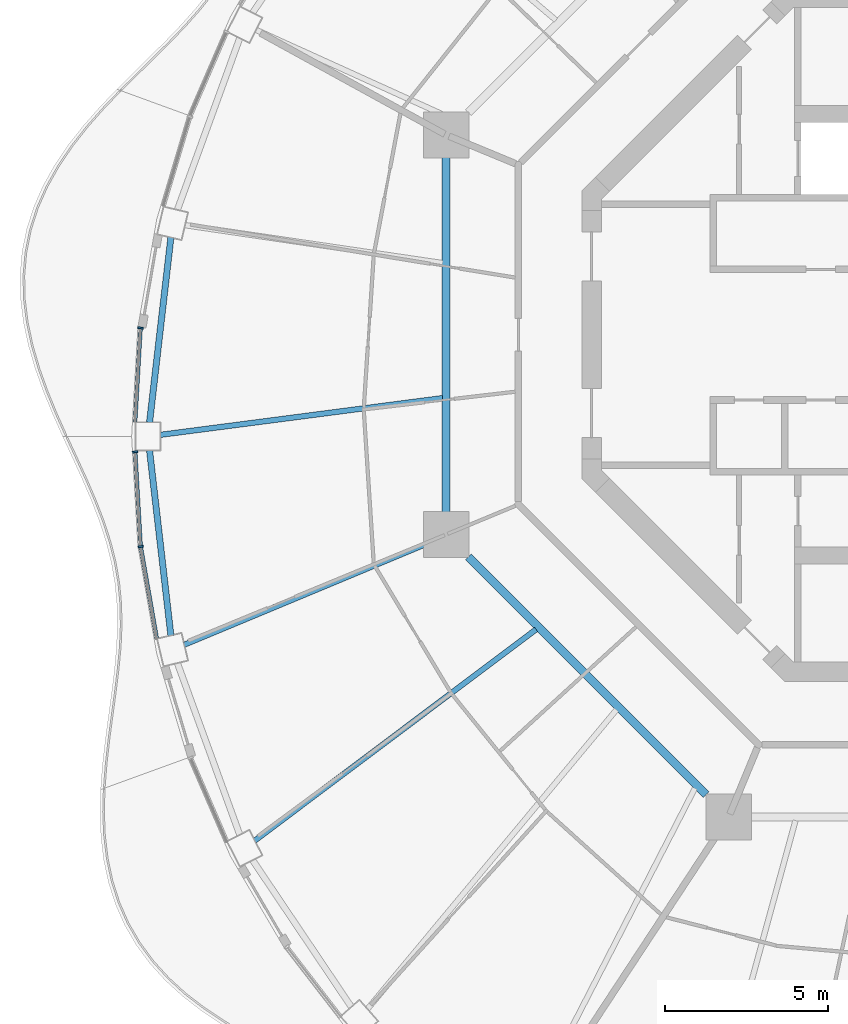
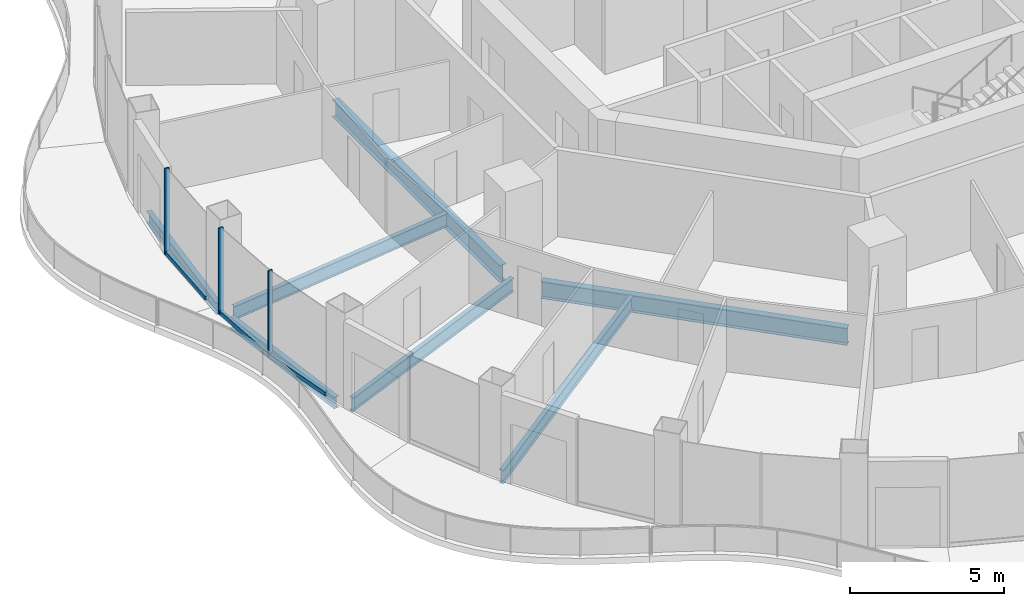
# One storey, part 3 of 17: 7 beams, 6 members, 3 elements without a shape of their own.
"""IFC4 building model written with IfcOpenShell, lengths in metres."""

import ifcopenshell
import ifcopenshell.guid

model = None  # the IFC model being written
_history = None  # IfcOwnerHistory: only IFC2X3 demands one
_inside = {}  # id of a spatial element -> (the spatial element, [elements in it])
_under = {}  # id of a project, library or spatial element -> (it, [spatial elements below it])
_declared = {}  # id of a project -> (the project, [libraries it declares])
_typed = {}  # id of a type object -> (the type object, [elements of that type])
_made_of = {}  # id of a material, layer set ... -> (it, [elements and type objects made of it])


def new_model(schema):
    """Start an empty IFC model of exactly this schema.

    Asked for "IFC4X3", IfcOpenShell would pick the latest addendum, in which some entities
    have other attributes; the version numbers below select the first issue.
    IFC2X3 requires an IfcOwnerHistory on every rooted entity: one is made here for all.
    """
    global model, _history
    if schema == "IFC4X3":
        model = ifcopenshell.file(schema_version=(4, 3, 0, 0))
    else:
        model = ifcopenshell.file(schema=schema)
    _inside.clear()
    _under.clear()
    _declared.clear()
    _typed.clear()
    _made_of.clear()
    _history = None
    if model.schema == "IFC2X3":
        org = make("IfcOrganization", Name="unknown")
        user = make(
            "IfcPersonAndOrganization",
            ThePerson=make("IfcPerson", FamilyName="unknown"),
            TheOrganization=org,
        )
        app = make(
            "IfcApplication",
            ApplicationDeveloper=org,
            Version="unknown",
            ApplicationFullName="unknown",
            ApplicationIdentifier="unknown",
        )
        _history = make(
            "IfcOwnerHistory",
            OwningUser=user,
            OwningApplication=app,
            ChangeAction="ADDED",
            CreationDate=0,
        )
    return model


def make(cls, **values):
    """One entity of the class cls with the attributes given. An attribute that is None is left unset."""
    return model.create_entity(
        cls, **{name: value for name, value in values.items() if value is not None}
    )


def rooted(cls, **values):
    """An entity with a GlobalId (a new one), such as an element, a storey or a relation."""
    return make(cls, GlobalId=ifcopenshell.guid.new(), OwnerHistory=_history, **values)


def si_unit(unit_type, name, prefix=None):
    """IfcSIUnit, for example si_unit("LENGTHUNIT", "METRE", prefix="MILLI")."""
    return make("IfcSIUnit", UnitType=unit_type, Prefix=prefix, Name=name)


def assignment(units):
    """IfcUnitAssignment: the units of a project."""
    return None if units is None else make("IfcUnitAssignment", Units=units)


def point(xyz):
    """IfcCartesianPoint."""
    return None if xyz is None else make("IfcCartesianPoint", Coordinates=xyz)


def direction(xyz):
    """IfcDirection."""
    return None if xyz is None else make("IfcDirection", DirectionRatios=xyz)


def frame(location, z_axis=None, x_axis=None):
    """IfcAxis2Placement3D, a coordinate frame: its origin and axes. An axis left out is left unset."""
    return make(
        "IfcAxis2Placement3D",
        Location=point(location),
        Axis=direction(z_axis),
        RefDirection=direction(x_axis),
    )


def frame_2d(location, x_axis=None):
    """IfcAxis2Placement2D, a coordinate frame in the plane: its origin and x axis."""
    return make(
        "IfcAxis2Placement2D", Location=point(location), RefDirection=direction(x_axis)
    )


def origin():
    """The frame at (0, 0, 0) with its axes left unset."""
    return frame((0.0, 0.0, 0.0))


def origin_2d():
    """The frame at (0, 0) in the plane with its x axis left unset."""
    return frame_2d((0.0, 0.0))


def place(relative_to, where):
    """IfcLocalPlacement: puts the frame where relative to a parent placement (None: the world)."""
    return make(
        "IfcLocalPlacement", PlacementRelTo=relative_to, RelativePlacement=where
    )


def context(
    kind, dimensions, precision=None, world=None, true_north=None, identifier=None
):
    """IfcGeometricRepresentationContext, for example the 3D "Model" context."""
    return make(
        "IfcGeometricRepresentationContext",
        ContextIdentifier=identifier,
        ContextType=kind,
        CoordinateSpaceDimension=dimensions,
        Precision=precision,
        WorldCoordinateSystem=world,
        TrueNorth=true_north,
    )


def subcontext(parent, identifier, kind, view, scale=None):
    """IfcGeometricRepresentationSubContext, for example "Body" below "Model"."""
    return make(
        "IfcGeometricRepresentationSubContext",
        ContextIdentifier=identifier,
        ContextType=kind,
        ParentContext=parent,
        TargetScale=scale,
        TargetView=view,
    )


def project(units=None, contexts=None):
    """IfcProject with its units and contexts."""
    return rooted(
        "IfcProject",
        Name="project",
        RepresentationContexts=contexts,
        UnitsInContext=assignment(units),
    )


def spatial(cls, under=None, at=None, **own):
    """A site, building, storey or space (cls), placed at a placement, below another one or the project."""
    s = rooted(cls, ObjectPlacement=at, **own)
    if under is not None:
        _under.setdefault(under.id(), (under, []))[1].append(s)
    return s


def profile(cls, at=None, kind="AREA", **sizes):
    """A parametric profile (cls). Its sizes go by their IFC names, for example OverallWidth=200.0."""
    return make(cls, ProfileType=kind, Position=at, **sizes)


def rectangle(**sizes):
    """IfcRectangleProfileDef."""
    return profile("IfcRectangleProfileDef", **sizes)


def i_section(**sizes):
    """IfcIShapeProfileDef."""
    return profile("IfcIShapeProfileDef", **sizes)


def extrude(swept, where, along, depth):
    """IfcExtrudedAreaSolid: the profile swept, set in the frame where, extruded along a direction by depth."""
    return make(
        "IfcExtrudedAreaSolid",
        SweptArea=swept,
        Position=where,
        ExtrudedDirection=direction(along),
        Depth=depth,
    )


def shape(context_of_items, identifier, shape_type, items):
    """IfcShapeRepresentation: the items that make up one representation, for example the "Body"."""
    return make(
        "IfcShapeRepresentation",
        ContextOfItems=context_of_items,
        RepresentationIdentifier=identifier,
        RepresentationType=shape_type,
        Items=items,
    )


def material(Name=None, Category=None):
    """IfcMaterial."""
    return make("IfcMaterial", Name=Name, Category=Category)


def layer(
    of_material, thickness, ventilated=None, Name=None, Category=None, Priority=None
):
    """IfcMaterialLayer: one layer of a wall or slab, of a material (None: an air gap)."""
    return make(
        "IfcMaterialLayer",
        Material=of_material,
        LayerThickness=thickness,
        IsVentilated=ventilated,
        Name=Name,
        Category=Category,
        Priority=Priority,
    )


def layer_set(layers, Name=None):
    """IfcMaterialLayerSet."""
    return make("IfcMaterialLayerSet", MaterialLayers=layers, LayerSetName=Name)


def material_profile(
    of_material, cross_section, Name=None, Category=None, Priority=None
):
    """IfcMaterialProfile: a cross section and its material."""
    return make(
        "IfcMaterialProfile",
        Name=Name,
        Material=of_material,
        Profile=cross_section,
        Priority=Priority,
        Category=Category,
    )


def profile_set(profiles, Name=None, composite=None):
    """IfcMaterialProfileSet."""
    return make(
        "IfcMaterialProfileSet",
        Name=Name,
        MaterialProfiles=profiles,
        CompositeProfile=composite,
    )


def made_of(thing, what):
    """Note that an element or type object is made of a material, layer set ...; save() writes the relation."""
    if what is not None:
        _made_of.setdefault(what.id(), (what, []))[1].append(thing)
    return thing


def type_object(cls, material=None, **own):
    """A type object (cls), such as IfcWallType, which elements share."""
    return made_of(rooted(cls, **own), material)


def element(
    cls,
    number,
    at=None,
    inside=None,
    cuts=None,
    type_object=None,
    material=None,
    context=None,
    identifier="Body",
    shape_type=None,
    held_by="IfcProductDefinitionShape",
    body=None,
    shapes=None,
    **own,
):
    """One element of the class cls, such as IfcWall. Its Tag is "e" and its number.

    at: its placement. inside: the storey or other place that contains it. cuts: it is an
    opening in that element (IfcRelVoidsElement). A single representation is given by context,
    identifier, shape_type and body (its items); several are given by shapes. held_by: the class
    of the entity that holds the representations. save() writes the other relations.
    """
    e = rooted(cls, Tag="e%d" % number, ObjectPlacement=at, **own)
    if body is not None:
        shapes = [shape(context, identifier, shape_type, body)]
    if shapes is not None:
        e.Representation = make(held_by, Representations=shapes)
    if inside is not None:
        _inside.setdefault(inside.id(), (inside, []))[1].append(e)
    if cuts is not None:
        rooted(
            "IfcRelVoidsElement", RelatingBuildingElement=cuts, RelatedOpeningElement=e
        )
    if type_object is not None:
        _typed.setdefault(type_object.id(), (type_object, []))[1].append(e)
    return made_of(e, material)


def aggregate(whole, parts):
    """IfcRelAggregates: a whole, such as a stair, and the parts it consists of."""
    return rooted("IfcRelAggregates", RelatingObject=whole, RelatedObjects=parts)


def save(model, path):
    """Write the relations noted so far, then the file.

    IfcRelAggregates (storeys below a building ...), IfcRelContainedInSpatialStructure (elements
    in a storey), IfcRelDefinesByType, IfcRelAssociatesMaterial and IfcRelDeclares: one each for
    every whole, place, type object, material and project.
    """
    for whole, parts in _under.values():
        aggregate(whole, parts)
    for where, things in _inside.values():
        rooted(
            "IfcRelContainedInSpatialStructure",
            RelatedElements=things,
            RelatingStructure=where,
        )
    for kind, things in _typed.values():
        rooted("IfcRelDefinesByType", RelatedObjects=things, RelatingType=kind)
    for what, things in _made_of.values():
        rooted("IfcRelAssociatesMaterial", RelatedObjects=things, RelatingMaterial=what)
    for by, libraries in _declared.values():
        rooted("IfcRelDeclares", RelatingContext=by, RelatedDefinitions=libraries)
    model.write(path)


model = new_model("IFC4")

# Units and contexts
model_context = context("Model", 3, precision=1e-05, world=origin(), true_north=direction((0.0, 1.0)))
body_context = subcontext(model_context, "Body", "Model", "MODEL_VIEW")
ifc_project = project(units=[si_unit("LENGTHUNIT", "METRE"), si_unit("AREAUNIT", "SQUARE_METRE"), si_unit("VOLUMEUNIT", "CUBIC_METRE"), si_unit("PLANEANGLEUNIT", "RADIAN"), si_unit("MASSUNIT", "GRAM", prefix="KILO")], contexts=[model_context])

# Site, building, storey
site_placement = place(None, origin())
site = spatial("IfcSite", under=ifc_project, at=site_placement, CompositionType="ELEMENT")
building_placement = place(site_placement, origin())
building = spatial("IfcBuilding", under=site, at=building_placement, Name="Nagisa Residences", CompositionType="ELEMENT")
storey_placement = place(building_placement, frame((0.0, 0.0, 291.800048828125)))
storey = spatial("IfcBuildingStorey", under=building, at=storey_placement, Name="L74", CompositionType="ELEMENT", Elevation=291.800048828125)

# Curtain wall, member
ifc_material_1 = material(Name="Concrete-coloured aluminium curtain wall system", Category="concrete")
ifc_layer = layer(ifc_material_1, 0.159912109375)
ifc_layer_set = layer_set([ifc_layer], Name="CW1 CURTAIN WALL")
curtain_wall_type = type_object("IfcCurtainWallType", Name="CW1 CURTAIN WALL", PredefinedType="NOTDEFINED", material=ifc_layer_set)
curtain_wall_1_placement = place(storey_placement, origin())
curtain_wall_1 = element("IfcCurtainWall", 1, at=curtain_wall_1_placement, inside=storey, type_object=curtain_wall_type, Name="cw:CW1:L74:23", PredefinedType="NOTDEFINED")
ifc_material_2 = material(Name="Concrete-coloured aluminium", Category="concrete")
ifc_material_profile_1 = material_profile(ifc_material_2, rectangle(XDim=0.159912109375, YDim=0.06005859375, at=origin_2d()), Name="CW1 MULLION 160x60")
ifc_profile_set_1 = profile_set([ifc_material_profile_1], Name="Concrete-coloured aluminium")
member_type_1 = type_object("IfcMemberType", Name="CW1 MULLION 160x60", PredefinedType="MULLION", material=ifc_profile_set_1)
member_1_placement = place(storey_placement, frame((-24.1484375, 0.20751953125, 0.0), z_axis=(0.0, 0.0, 1.0), x_axis=(0.998345305184, -0.057503492216, 0.0)))
member_1 = element("IfcMember", 2, at=member_1_placement, type_object=member_type_1, Name="CW1 mullion", PredefinedType="MULLION", context=body_context, shape_type="SweptSolid", body=[
    extrude(rectangle(XDim=0.159912109375, YDim=0.06005859375, at=origin_2d()), origin(), (0.0, 0.0, 1.0), 3.43994140625),
])

curtain_wall_2_placement = place(storey_placement, origin())
curtain_wall_2 = element("IfcCurtainWall", 3, at=curtain_wall_2_placement, inside=storey, type_object=curtain_wall_type, Name="cw:CW1:L74:24", PredefinedType="NOTDEFINED")
member_2_placement = place(storey_placement, frame((-24.3125, -3.59228515625, 0.0), z_axis=(0.0, 0.0, 1.0), x_axis=(0.998345305184, 0.057503492216, 0.0)))
member_2 = element("IfcMember", 4, at=member_2_placement, type_object=member_type_1, Name="CW1 mullion", PredefinedType="MULLION", context=body_context, shape_type="SweptSolid", body=[
    extrude(rectangle(XDim=0.159912109375, YDim=0.06005859375, at=origin_2d()), origin(), (0.0, 0.0, 1.0), 3.43994140625),
])

curtain_wall_3_placement = place(storey_placement, origin())
curtain_wall_3 = element("IfcCurtainWall", 5, at=curtain_wall_3_placement, inside=storey, type_object=curtain_wall_type, Name="cw:CW1:L74:25", PredefinedType="NOTDEFINED")
member_3_placement = place(storey_placement, frame((-24.142578125, -6.4931640625, 0.0), z_axis=(0.0, 0.0, 1.0), x_axis=(0.985063604377, 0.172190868898, 0.0)))
member_3 = element("IfcMember", 6, at=member_3_placement, type_object=member_type_1, Name="CW1 mullion", PredefinedType="MULLION", context=body_context, shape_type="SweptSolid", body=[
    extrude(rectangle(XDim=0.159912109375, YDim=0.06005859375, at=origin_2d()), origin(), (0.0, 0.0, 1.0), 3.43994140625),
])

# Member
ifc_material_3 = material(Name="Concrete-coloured aluminium", Category="concrete")
ifc_material_profile_2 = material_profile(ifc_material_3, rectangle(XDim=0.1201171875, YDim=0.14990234375, at=origin_2d()), Name="CW1 TRANSOM 120x150")
ifc_profile_set_2 = profile_set([ifc_material_profile_2], Name="Concrete-coloured aluminium")
member_type_2 = type_object("IfcMemberType", Name="CW1 TRANSOM 120x150", PredefinedType="USERDEFINED", material=ifc_profile_set_2)
member_4_placement = place(storey_placement, frame((-24.146728515625, 0.237548828125, 0.074951171875), z_axis=(-0.057445660401, -0.998348634547, 0.0), x_axis=(0.998348634547, -0.057445660401, 0.0)))
member_4 = element("IfcMember", 7, at=member_4_placement, type_object=member_type_2, Name="CW1 transom", ObjectType="TRANSOM", PredefinedType="USERDEFINED", context=body_context, shape_type="SweptSolid", body=[
    extrude(rectangle(XDim=0.1201171875, YDim=0.14990234375, at=origin_2d()), origin(), (0.0, 0.0, 1.0), 2.91552734375),
])

aggregate(curtain_wall_1, [member_1, member_4])

member_5_placement = place(storey_placement, frame((-24.314208984375, -3.562255859375, 0.074951171875), z_axis=(0.057445660401, -0.998348634547, 0.0), x_axis=(0.998348634547, 0.057445660401, 0.0)))
member_5 = element("IfcMember", 8, at=member_5_placement, type_object=member_type_2, Name="CW1 transom", ObjectType="TRANSOM", PredefinedType="USERDEFINED", context=body_context, shape_type="SweptSolid", body=[
    extrude(rectangle(XDim=0.1201171875, YDim=0.14990234375, at=origin_2d()), origin(), (0.0, 0.0, 1.0), 2.91552734375),
])

aggregate(curtain_wall_2, [member_2, member_5])

member_6_placement = place(storey_placement, frame((-24.147705078125, -6.463623046875, 0.074951171875), z_axis=(0.172182411767, -0.985065082661, 0.0), x_axis=(0.985065082661, 0.172182411767, 0.0)))
member_6 = element("IfcMember", 9, at=member_6_placement, type_object=member_type_2, Name="CW1 transom", ObjectType="TRANSOM", PredefinedType="USERDEFINED", context=body_context, shape_type="SweptSolid", body=[
    extrude(rectangle(XDim=0.1201171875, YDim=0.14990234375, at=origin_2d()), origin(), (0.0, 0.0, 1.0), 2.902587890625),
])

aggregate(curtain_wall_3, [member_3, member_6])

# Beams
ifc_material_4 = material(Name="Steel ASTM A572 Gr 50", Category="steel")
ifc_material_profile_3 = material_profile(ifc_material_4, i_section(OverallWidth=0.2529296875, OverallDepth=0.677978515625, WebThickness=0.01171875, FlangeThickness=0.016357421875, at=origin_2d()), Name="W690x125")
ifc_profile_set_3 = profile_set([ifc_material_profile_3], Name="Steel ASTM A572 Gr 50")
beam_type_1 = type_object("IfcBeamType", Name="Inner ring beam W690x125", PredefinedType="BEAM", material=ifc_profile_set_3)
beam_1_placement = place(storey_placement, frame((-14.781982421875, 5.44287109375, -0.59912109375), z_axis=(0.0, -1.0, 0.0), x_axis=(1.0, 0.0, 0.0)))
element("IfcBeam", 10, at=beam_1_placement, inside=storey, type_object=beam_type_1, Name="beam:L74:ib4", PredefinedType="BEAM", context=body_context, shape_type="SweptSolid", body=[
    extrude(i_section(OverallWidth=0.2529296875, OverallDepth=0.677978515625, WebThickness=0.01171875, FlangeThickness=0.016357421875, at=origin_2d()), origin(), (0.0, 0.0, 1.0), 10.8857421875),
])
beam_2_placement = place(storey_placement, frame((-14.09619140625, -6.808837890625, -0.59912109375), z_axis=(0.707106781187, -0.707106781187, 0.0), x_axis=(0.707106781187, 0.707106781187, 0.0)))
element("IfcBeam", 11, at=beam_2_placement, inside=storey, type_object=beam_type_1, Name="beam:L74:ib5", PredefinedType="BEAM", context=body_context, shape_type="SweptSolid", body=[
    extrude(i_section(OverallWidth=0.2529296875, OverallDepth=0.677978515625, WebThickness=0.01171875, FlangeThickness=0.016357421875, at=origin_2d()), origin(), (0.0, 0.0, 1.0), 10.305908203125),
])
ifc_material_5 = material(Name="Steel ASTM A572 Gr 50", Category="steel")
ifc_material_profile_4 = material_profile(ifc_material_5, i_section(OverallWidth=0.18994140625, OverallDepth=0.45703125, WebThickness=0.009033203125, FlangeThickness=0.014404296875, at=origin_2d()), Name="W460x74")
ifc_profile_set_4 = profile_set([ifc_material_profile_4], Name="Steel ASTM A572 Gr 50")
beam_type_2 = type_object("IfcBeamType", Name="Perimeter ring beam W460x74", PredefinedType="BEAM", material=ifc_profile_set_4)
for number, where, z_axis, x_axis, name in (
    (12, (-23.2158203125, 2.984619140625, -0.488525390625), (-0.114635468623, -0.993407624962, 0.0), (0.993407624962, -0.114635468623, 0.0), "beam:L74:pb12"),
    (13, (-23.870361328125, -3.5478515625, -0.488525390625), (0.114635468623, -0.993407624962, 0.0), (0.993407624962, 0.114635468623, 0.0), "beam:L74:pb13"),
):
    element("IfcBeam", number, at=place(storey_placement, frame(where, z_axis=z_axis, x_axis=x_axis)), inside=storey, type_object=beam_type_2, Name=name, PredefinedType="BEAM", context=body_context, shape_type="SweptSolid", body=[
        extrude(i_section(OverallWidth=0.18994140625, OverallDepth=0.45703125, WebThickness=0.009033203125, FlangeThickness=0.014404296875, at=origin_2d()), origin(), (0.0, 0.0, 1.0), 5.709716796875),
    ])
ifc_material_6 = material(Name="Steel ASTM A572 Gr 50", Category="steel")
ifc_material_profile_5 = material_profile(ifc_material_6, i_section(OverallWidth=0.166015625, OverallDepth=0.534912109375, WebThickness=0.01025390625, FlangeThickness=0.0166015625, at=origin_2d()), Name="W530x85")
ifc_profile_set_5 = profile_set([ifc_material_profile_5], Name="Steel ASTM A572 Gr 50")
beam_type_3 = type_object("IfcBeamType", Name="Radial beam W530x85", PredefinedType="BEAM", material=ifc_profile_set_5)
beam_3_placement = place(storey_placement, frame((-23.539794921875, -3.068115234375, -0.527587890625), z_axis=(0.991614605292, 0.129230315994, 0.0), x_axis=(-0.129230315994, 0.991614605292, 0.0)))
element("IfcBeam", 14, at=beam_3_placement, inside=storey, type_object=beam_type_3, Name="beam:L74:rb13", PredefinedType="BEAM", context=body_context, shape_type="SweptSolid", body=[
    extrude(i_section(OverallWidth=0.166015625, OverallDepth=0.534912109375, WebThickness=0.01025390625, FlangeThickness=0.0166015625, at=origin_2d()), origin(), (0.0, 0.0, 1.0), 8.724365234375),
])
beam_4_placement = place(storey_placement, frame((-22.810546875, -9.502197265625, -0.527587890625), z_axis=(0.92310713136, 0.384542876716, 0.0), x_axis=(-0.384542876716, 0.92310713136, 0.0)))
element("IfcBeam", 15, at=beam_4_placement, inside=storey, type_object=beam_type_3, Name="beam:L74:rb14", PredefinedType="BEAM", context=body_context, shape_type="SweptSolid", body=[
    extrude(i_section(OverallWidth=0.166015625, OverallDepth=0.534912109375, WebThickness=0.01025390625, FlangeThickness=0.0166015625, at=origin_2d()), origin(), (0.0, 0.0, 1.0), 8.607177734375),
])
beam_5_placement = place(storey_placement, frame((-20.647705078125, -15.505859375, -0.527587890625), z_axis=(0.799616749037, 0.600510661571, 0.0), x_axis=(-0.600510661571, 0.799616749037, 0.0)))
element("IfcBeam", 16, at=beam_5_placement, inside=storey, type_object=beam_type_3, Name="beam:L74:rb15", PredefinedType="BEAM", context=body_context, shape_type="SweptSolid", body=[
    extrude(i_section(OverallWidth=0.166015625, OverallDepth=0.534912109375, WebThickness=0.01025390625, FlangeThickness=0.0166015625, at=origin_2d()), origin(), (0.0, 0.0, 1.0), 10.782958984375),
])

save(model, "model.ifc")
